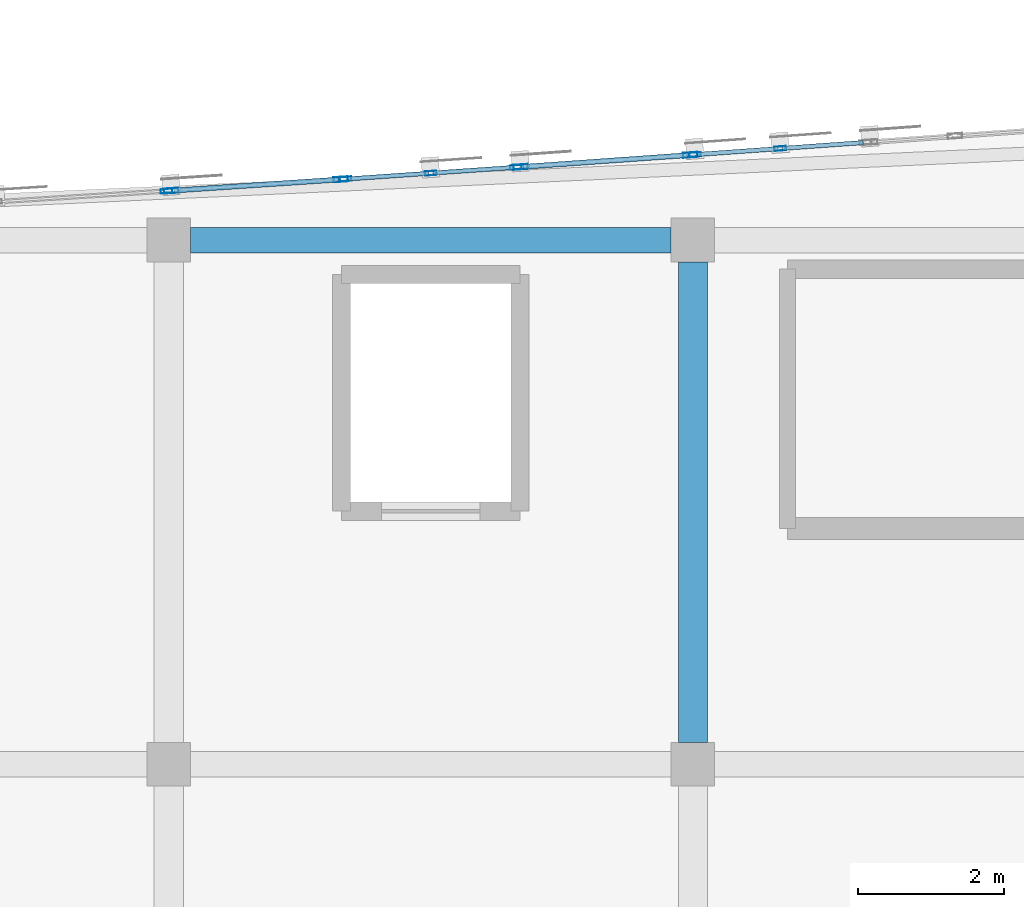
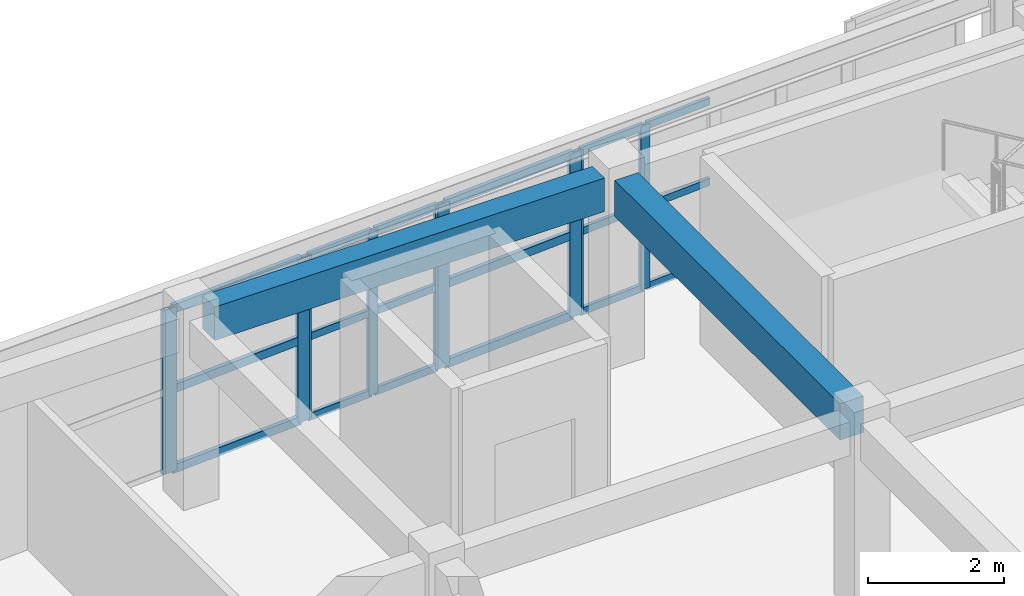
# One storey, part 8 of 51: 28 members, 2 beams, 5 elements without a shape of their own.
"""IFC4 building model written with IfcOpenShell, lengths in metres."""

from ifc_helpers import new_model, si_unit, direction, frame, origin, origin_2d, place, context, subcontext, project, spatial, rectangle, hollow_rectangle, extrude, material, layer, layer_set, material_profile, profile_set, type_object, element, aggregate, save


model = new_model("IFC4")

# Units and contexts
model_context = context("Model", 3, precision=1e-05, world=origin(), true_north=direction((0.0, 1.0)))
body_context = subcontext(model_context, "Body", "Model", "MODEL_VIEW")
ifc_project = project(units=[si_unit("LENGTHUNIT", "METRE"), si_unit("AREAUNIT", "SQUARE_METRE"), si_unit("VOLUMEUNIT", "CUBIC_METRE"), si_unit("PLANEANGLEUNIT", "RADIAN"), si_unit("MASSUNIT", "GRAM", prefix="KILO")], contexts=[model_context])

# Site, building, storey
site_placement = place(None, origin())
site = spatial("IfcSite", under=ifc_project, at=site_placement, CompositionType="ELEMENT")
building_placement = place(site_placement, origin())
building = spatial("IfcBuilding", under=site, at=building_placement, Name="Carrowvane Square Congress Hotel", CompositionType="ELEMENT")
storey_placement = place(building_placement, frame((0.0, 0.0, 30.0)))
storey = spatial("IfcBuildingStorey", under=building, at=storey_placement, Name="L07", CompositionType="ELEMENT", Elevation=30.0)

# Beams
ifc_material_1 = material(Name="Concrete C35/45", Category="concrete")
ifc_material_profile_1 = material_profile(ifc_material_1, rectangle(XDim=0.35009765625, YDim=0.60009765625, at=origin_2d()), Name="RC 350x600")
ifc_profile_set_1 = profile_set([ifc_material_profile_1], Name="Concrete C35/45")
beam_type_1 = type_object("IfcBeamType", Name="BM-RC-350x600", PredefinedType="BEAM", material=ifc_profile_set_1)
beam_1_placement = place(storey_placement, frame((47.89990234375, 113.39990234375, 3.06005859375), z_axis=(1.0, 0.0, 0.0), x_axis=(0.0, 1.0, 0.0)))
element("IfcBeam", 1, at=beam_1_placement, inside=storey, type_object=beam_type_1, Name="L08 girder R/6-7", PredefinedType="BEAM", context=body_context, shape_type="SweptSolid", body=[
    extrude(rectangle(XDim=0.35009765625, YDim=0.60009765625, at=origin_2d()), origin(), (0.0, 0.0, 1.0), 6.60009765625),
])
ifc_material_2 = material(Name="Concrete C35/45", Category="concrete")
ifc_material_profile_2 = material_profile(ifc_material_2, rectangle(XDim=0.39990234375, YDim=0.64990234375, at=origin_2d()), Name="RC 400x650")
ifc_profile_set_2 = profile_set([ifc_material_profile_2], Name="Concrete C35/45")
beam_type_2 = type_object("IfcBeamType", Name="BM-RC-400x650", PredefinedType="BEAM", material=ifc_profile_set_2)
beam_2_placement = place(storey_placement, frame((54.800048828125, 106.5, 3.034912109375), z_axis=(0.0, 1.0, 0.0), x_axis=(-1.0, 0.0, 0.0)))
element("IfcBeam", 2, at=beam_2_placement, inside=storey, type_object=beam_type_2, Name="L08 girder 7/Q-R", PredefinedType="BEAM", context=body_context, shape_type="SweptSolid", body=[
    extrude(rectangle(XDim=0.39990234375, YDim=0.64990234375, at=origin_2d()), origin(), (0.0, 0.0, 1.0), 6.60009765625),
])

# Curtain wall, member
ifc_material_3 = material(Name="Anodised aluminium", Category="aluminium")
ifc_layer_1 = layer(ifc_material_3, 0.18603515625)
ifc_layer_set_1 = layer_set([ifc_layer_1], Name="Anodised aluminium")
curtain_wall_type_1 = type_object("IfcCurtainWallType", Name="CW-SYS-3", PredefinedType="NOTDEFINED", material=ifc_layer_set_1)
curtain_wall_1_placement = place(storey_placement, origin())
curtain_wall_1 = element("IfcCurtainWall", 3, at=curtain_wall_1_placement, inside=storey, type_object=curtain_wall_type_1, Name="L07 unitised curtain wall 410", PredefinedType="NOTDEFINED")
ifc_material_4 = material(Name="Anodised aluminium", Category="aluminium")
ifc_material_profile_3 = material_profile(ifc_material_4, hollow_rectangle(XDim=0.06005859375, YDim=0.159912109375, WallThickness=0.00390625, at=origin_2d()), Name="CW-ML 60x160x4")
ifc_profile_set_3 = profile_set([ifc_material_profile_3], Name="Anodised aluminium")
member_type_1 = type_object("IfcMemberType", Name="CW-MUL-1", PredefinedType="MULLION", material=ifc_profile_set_3)
member_1_placement = place(storey_placement, frame((47.570068359375, 114.073486328125, 0.0), z_axis=(0.0, 0.0, 1.0), x_axis=(-0.063273487972, 0.997996225303, 0.0)))
member_1 = element("IfcMember", 4, at=member_1_placement, type_object=member_type_1, Name="CW-3 mullion 2", PredefinedType="MULLION", context=body_context, shape_type="SweptSolid", body=[
    extrude(hollow_rectangle(XDim=0.06005859375, YDim=0.159912109375, WallThickness=0.00390625, at=origin_2d()), origin(), (0.0, 0.0, 1.0), 2.935546875),
])
aggregate(curtain_wall_1, [member_1])

# Curtain wall, members
ifc_material_5 = material(Name="Anodised aluminium", Category="aluminium")
ifc_layer_2 = layer(ifc_material_5, 0.2099609375)
ifc_layer_set_2 = layer_set([ifc_layer_2], Name="Anodised aluminium")
curtain_wall_type_2 = type_object("IfcCurtainWallType", Name="CW-SYS-5", PredefinedType="NOTDEFINED", material=ifc_layer_set_2)
curtain_wall_2_placement = place(storey_placement, origin())
curtain_wall_2 = element("IfcCurtainWall", 5, at=curtain_wall_2_placement, inside=storey, type_object=curtain_wall_type_2, Name="L07 unitised curtain wall 412", PredefinedType="NOTDEFINED")
member_2_placement = place(storey_placement, frame((50.030029296875, 114.237548828125, 0.0), z_axis=(0.0, 0.0, 1.0), x_axis=(-0.068986120725, 0.997617619706, 0.0)))
member_2 = element("IfcMember", 6, at=member_2_placement, type_object=member_type_1, Name="CW-5 mullion 1", PredefinedType="MULLION", context=body_context, shape_type="SweptSolid", body=[
    extrude(hollow_rectangle(XDim=0.06005859375, YDim=0.159912109375, WallThickness=0.00390625, at=origin_2d()), origin(), (0.0, 0.0, 1.0), 2.935546875),
])
member_3_placement = place(storey_placement, frame((51.199951171875, 114.318359375, 0.0), z_axis=(0.0, 0.0, 1.0), x_axis=(-0.068986120725, 0.997617619706, 0.0)))
member_3 = element("IfcMember", 7, at=member_3_placement, type_object=member_type_1, Name="CW-5 mullion 2", PredefinedType="MULLION", context=body_context, shape_type="SweptSolid", body=[
    extrude(hollow_rectangle(XDim=0.06005859375, YDim=0.159912109375, WallThickness=0.00390625, at=origin_2d()), origin(), (0.0, 0.0, 1.0), 2.935546875),
])
member_4_placement = place(storey_placement, frame((52.3701171875, 114.3994140625, 0.0), z_axis=(0.0, 0.0, 1.0), x_axis=(-0.068986120725, 0.997617619706, 0.0)))
member_4 = element("IfcMember", 8, at=member_4_placement, type_object=member_type_1, Name="CW-5 mullion 3", PredefinedType="MULLION", context=body_context, shape_type="SweptSolid", body=[
    extrude(hollow_rectangle(XDim=0.06005859375, YDim=0.159912109375, WallThickness=0.00390625, at=origin_2d()), origin(), (0.0, 0.0, 1.0), 2.935546875),
])

ifc_material_6 = material(Name="Anodised aluminium", Category="aluminium")
ifc_layer_3 = layer(ifc_material_6, 0.23388671875)
ifc_layer_set_3 = layer_set([ifc_layer_3], Name="Anodised aluminium")
curtain_wall_type_3 = type_object("IfcCurtainWallType", Name="CW-SYS-7", PredefinedType="NOTDEFINED", material=ifc_layer_set_3)
curtain_wall_3_placement = place(storey_placement, origin())
curtain_wall_3 = element("IfcCurtainWall", 9, at=curtain_wall_3_placement, inside=storey, type_object=curtain_wall_type_3, Name="L07 unitised curtain wall 414", PredefinedType="NOTDEFINED")
member_5_placement = place(storey_placement, frame((54.829833984375, 114.573486328125, 0.0), z_axis=(0.0, 0.0, 1.0), x_axis=(-0.071418356042, 0.997446448898, 0.0)))
member_5 = element("IfcMember", 10, at=member_5_placement, type_object=member_type_1, Name="CW-7 mullion 1", PredefinedType="MULLION", context=body_context, shape_type="SweptSolid", body=[
    extrude(hollow_rectangle(XDim=0.06005859375, YDim=0.159912109375, WallThickness=0.00390625, at=origin_2d()), origin(), (0.0, 0.0, 1.0), 2.935546875),
])
member_6_placement = place(storey_placement, frame((56.0, 114.6572265625, 0.0), z_axis=(0.0, 0.0, 1.0), x_axis=(-0.071418356042, 0.997446448898, 0.0)))
member_6 = element("IfcMember", 11, at=member_6_placement, type_object=member_type_1, Name="CW-7 mullion 2", PredefinedType="MULLION", context=body_context, shape_type="SweptSolid", body=[
    extrude(hollow_rectangle(XDim=0.06005859375, YDim=0.159912109375, WallThickness=0.00390625, at=origin_2d()), origin(), (0.0, 0.0, 1.0), 2.935546875),
])

ifc_material_7 = material(Name="Anodised aluminium", Category="aluminium")
ifc_layer_4 = layer(ifc_material_7, 0.197998046875)
ifc_layer_set_4 = layer_set([ifc_layer_4], Name="Anodised aluminium")
curtain_wall_type_4 = type_object("IfcCurtainWallType", Name="CW-SYS-4", PredefinedType="NOTDEFINED", material=ifc_layer_set_4)
curtain_wall_4_placement = place(storey_placement, origin())
curtain_wall_4 = element("IfcCurtainWall", 12, at=curtain_wall_4_placement, inside=storey, type_object=curtain_wall_type_4, Name="L07 unitised curtain wall 411", PredefinedType="NOTDEFINED")
ifc_material_8 = material(Name="Anodised aluminium", Category="aluminium")
ifc_material_profile_4 = material_profile(ifc_material_8, hollow_rectangle(XDim=0.070068359375, YDim=0.199951171875, WallThickness=0.0048828125, at=origin_2d()), Name="CW-ML 70x200x5")
ifc_profile_set_4 = profile_set([ifc_material_profile_4], Name="Anodised aluminium")
member_type_2 = type_object("IfcMemberType", Name="CW-MUL-2", PredefinedType="MULLION", material=ifc_profile_set_4)
member_7_placement = place(storey_placement, frame((47.635009765625, 114.07763671875, 0.0), z_axis=(0.0, 0.0, 1.0), x_axis=(-0.066578061501, 0.99778121937, 0.0)))
member_7 = element("IfcMember", 13, at=member_7_placement, type_object=member_type_2, Name="CW-4 mullion 1", PredefinedType="MULLION", context=body_context, shape_type="SweptSolid", body=[
    extrude(hollow_rectangle(XDim=0.070068359375, YDim=0.199951171875, WallThickness=0.0048828125, at=origin_2d()), origin(), (0.0, 0.0, 1.0), 2.935546875),
])
member_8_placement = place(storey_placement, frame((49.965087890625, 114.233154296875, 0.0), z_axis=(0.0, 0.0, 1.0), x_axis=(-0.066578061501, 0.99778121937, 0.0)))
member_8 = element("IfcMember", 14, at=member_8_placement, type_object=member_type_2, Name="CW-4 mullion 2", PredefinedType="MULLION", context=body_context, shape_type="SweptSolid", body=[
    extrude(hollow_rectangle(XDim=0.070068359375, YDim=0.199951171875, WallThickness=0.0048828125, at=origin_2d()), origin(), (0.0, 0.0, 1.0), 2.935546875),
])

ifc_material_9 = material(Name="Anodised aluminium", Category="aluminium")
ifc_layer_5 = layer(ifc_material_9, 0.221923828125)
ifc_layer_set_5 = layer_set([ifc_layer_5], Name="Anodised aluminium")
curtain_wall_type_5 = type_object("IfcCurtainWallType", Name="CW-SYS-6", PredefinedType="NOTDEFINED", material=ifc_layer_set_5)
curtain_wall_5_placement = place(storey_placement, origin())
curtain_wall_5 = element("IfcCurtainWall", 15, at=curtain_wall_5_placement, inside=storey, type_object=curtain_wall_type_5, Name="L07 unitised curtain wall 413", PredefinedType="NOTDEFINED")
member_9_placement = place(storey_placement, frame((52.434814453125, 114.40380859375, 0.0), z_axis=(0.0, 0.0, 1.0), x_axis=(-0.070585996942, 0.997505697746, 0.0)))
member_9 = element("IfcMember", 16, at=member_9_placement, type_object=member_type_2, Name="CW-6 mullion 1", PredefinedType="MULLION", context=body_context, shape_type="SweptSolid", body=[
    extrude(hollow_rectangle(XDim=0.070068359375, YDim=0.199951171875, WallThickness=0.0048828125, at=origin_2d()), origin(), (0.0, 0.0, 1.0), 2.935546875),
])
member_10_placement = place(storey_placement, frame((54.76513671875, 114.56884765625, 0.0), z_axis=(0.0, 0.0, 1.0), x_axis=(-0.070585996942, 0.997505697746, 0.0)))
member_10 = element("IfcMember", 17, at=member_10_placement, type_object=member_type_2, Name="CW-6 mullion 2", PredefinedType="MULLION", context=body_context, shape_type="SweptSolid", body=[
    extrude(hollow_rectangle(XDim=0.070068359375, YDim=0.199951171875, WallThickness=0.0048828125, at=origin_2d()), origin(), (0.0, 0.0, 1.0), 2.935546875),
])

# Member
ifc_material_10 = material(Name="Anodised aluminium", Category="aluminium")
ifc_material_profile_5 = material_profile(ifc_material_10, hollow_rectangle(XDim=0.06005859375, YDim=0.1298828125, WallThickness=0.00390625, at=origin_2d()), Name="CW-TR 60x130x4")
ifc_profile_set_5 = profile_set([ifc_material_profile_5], Name="Anodised aluminium")
member_type_3 = type_object("IfcMemberType", Name="CW-TRN-1", PredefinedType="USERDEFINED", material=ifc_profile_set_5)
member_11_placement = place(storey_placement, frame((50.059814453125, 114.239501953125, 0.030029296875), z_axis=(0.997610037403, 0.06909568201, 0.0), x_axis=(-0.06909568201, 0.997610037403, 0.0)))
member_11 = element("IfcMember", 18, at=member_11_placement, type_object=member_type_3, Name="CW-5 transom 1.1", ObjectType="TRANSOM", PredefinedType="USERDEFINED", context=body_context, shape_type="SweptSolid", body=[
    extrude(hollow_rectangle(XDim=0.06005859375, YDim=0.1298828125, WallThickness=0.00390625, at=origin_2d()), origin(), (0.0, 0.0, 1.0), 1.113037109375),
])

member_12_placement = place(storey_placement, frame((50.059814453125, 114.239501953125, 1.4677734375), z_axis=(0.997610037403, 0.06909568201, 0.0), x_axis=(-0.06909568201, 0.997610037403, 0.0)))
member_12 = element("IfcMember", 19, at=member_12_placement, type_object=member_type_3, Name="CW-5 transom 1.2", ObjectType="TRANSOM", PredefinedType="USERDEFINED", context=body_context, shape_type="SweptSolid", body=[
    extrude(hollow_rectangle(XDim=0.06005859375, YDim=0.1298828125, WallThickness=0.00390625, at=origin_2d()), origin(), (0.0, 0.0, 1.0), 1.113037109375),
])

member_13_placement = place(storey_placement, frame((50.059814453125, 114.239501953125, 2.905517578125), z_axis=(0.997610037403, 0.06909568201, 0.0), x_axis=(-0.06909568201, 0.997610037403, 0.0)))
member_13 = element("IfcMember", 20, at=member_13_placement, type_object=member_type_3, Name="CW-5 transom 1.3", ObjectType="TRANSOM", PredefinedType="USERDEFINED", context=body_context, shape_type="SweptSolid", body=[
    extrude(hollow_rectangle(XDim=0.06005859375, YDim=0.1298828125, WallThickness=0.00390625, at=origin_2d()), origin(), (0.0, 0.0, 1.0), 1.113037109375),
])

member_14_placement = place(storey_placement, frame((51.22998046875, 114.320556640625, 0.030029296875), z_axis=(0.997624092775, 0.068892448896, 0.0), x_axis=(-0.068892448896, 0.997624092775, 0.0)))
member_14 = element("IfcMember", 21, at=member_14_placement, type_object=member_type_3, Name="CW-5 transom 2.1", ObjectType="TRANSOM", PredefinedType="USERDEFINED", context=body_context, shape_type="SweptSolid", body=[
    extrude(hollow_rectangle(XDim=0.06005859375, YDim=0.1298828125, WallThickness=0.00390625, at=origin_2d()), origin(), (0.0, 0.0, 1.0), 1.11279296875),
])

member_15_placement = place(storey_placement, frame((51.22998046875, 114.320556640625, 1.4677734375), z_axis=(0.997624092775, 0.068892448896, 0.0), x_axis=(-0.068892448896, 0.997624092775, 0.0)))
member_15 = element("IfcMember", 22, at=member_15_placement, type_object=member_type_3, Name="CW-5 transom 2.2", ObjectType="TRANSOM", PredefinedType="USERDEFINED", context=body_context, shape_type="SweptSolid", body=[
    extrude(hollow_rectangle(XDim=0.06005859375, YDim=0.1298828125, WallThickness=0.00390625, at=origin_2d()), origin(), (0.0, 0.0, 1.0), 1.11279296875),
])

member_16_placement = place(storey_placement, frame((51.22998046875, 114.320556640625, 2.905517578125), z_axis=(0.997624092775, 0.068892448896, 0.0), x_axis=(-0.068892448896, 0.997624092775, 0.0)))
member_16 = element("IfcMember", 23, at=member_16_placement, type_object=member_type_3, Name="CW-5 transom 2.3", ObjectType="TRANSOM", PredefinedType="USERDEFINED", context=body_context, shape_type="SweptSolid", body=[
    extrude(hollow_rectangle(XDim=0.06005859375, YDim=0.1298828125, WallThickness=0.00390625, at=origin_2d()), origin(), (0.0, 0.0, 1.0), 1.11279296875),
])

aggregate(curtain_wall_2, [member_2, member_3, member_4, member_11, member_12, member_13, member_14, member_15, member_16])

member_17_placement = place(storey_placement, frame((54.85986328125, 114.575439453125, 0.030029296875), z_axis=(0.997439734895, 0.071512063685, 0.0), x_axis=(-0.071512063685, 0.997439734895, 0.0)))
member_17 = element("IfcMember", 24, at=member_17_placement, type_object=member_type_3, Name="CW-7 transom 1.1", ObjectType="TRANSOM", PredefinedType="USERDEFINED", context=body_context, shape_type="SweptSolid", body=[
    extrude(hollow_rectangle(XDim=0.06005859375, YDim=0.1298828125, WallThickness=0.00390625, at=origin_2d()), origin(), (0.0, 0.0, 1.0), 1.113037109375),
])

member_18_placement = place(storey_placement, frame((54.85986328125, 114.575439453125, 1.4677734375), z_axis=(0.997439734895, 0.071512063685, 0.0), x_axis=(-0.071512063685, 0.997439734895, 0.0)))
member_18 = element("IfcMember", 25, at=member_18_placement, type_object=member_type_3, Name="CW-7 transom 1.2", ObjectType="TRANSOM", PredefinedType="USERDEFINED", context=body_context, shape_type="SweptSolid", body=[
    extrude(hollow_rectangle(XDim=0.06005859375, YDim=0.1298828125, WallThickness=0.00390625, at=origin_2d()), origin(), (0.0, 0.0, 1.0), 1.113037109375),
])

member_19_placement = place(storey_placement, frame((54.85986328125, 114.575439453125, 2.905517578125), z_axis=(0.997439734895, 0.071512063685, 0.0), x_axis=(-0.071512063685, 0.997439734895, 0.0)))
member_19 = element("IfcMember", 26, at=member_19_placement, type_object=member_type_3, Name="CW-7 transom 1.3", ObjectType="TRANSOM", PredefinedType="USERDEFINED", context=body_context, shape_type="SweptSolid", body=[
    extrude(hollow_rectangle(XDim=0.06005859375, YDim=0.1298828125, WallThickness=0.00390625, at=origin_2d()), origin(), (0.0, 0.0, 1.0), 1.113037109375),
])

member_20_placement = place(storey_placement, frame((56.02978515625, 114.659423828125, 0.030029296875), z_axis=(0.997456472769, 0.071278221999, 0.0), x_axis=(-0.071278221999, 0.997456472769, 0.0)))
member_20 = element("IfcMember", 27, at=member_20_placement, type_object=member_type_3, Name="CW-7 transom 2.1", ObjectType="TRANSOM", PredefinedType="USERDEFINED", context=body_context, shape_type="SweptSolid", body=[
    extrude(hollow_rectangle(XDim=0.06005859375, YDim=0.1298828125, WallThickness=0.00390625, at=origin_2d()), origin(), (0.0, 0.0, 1.0), 1.11328125),
])

member_21_placement = place(storey_placement, frame((56.02978515625, 114.659423828125, 1.4677734375), z_axis=(0.997456472769, 0.071278221999, 0.0), x_axis=(-0.071278221999, 0.997456472769, 0.0)))
member_21 = element("IfcMember", 28, at=member_21_placement, type_object=member_type_3, Name="CW-7 transom 2.2", ObjectType="TRANSOM", PredefinedType="USERDEFINED", context=body_context, shape_type="SweptSolid", body=[
    extrude(hollow_rectangle(XDim=0.06005859375, YDim=0.1298828125, WallThickness=0.00390625, at=origin_2d()), origin(), (0.0, 0.0, 1.0), 1.11328125),
])

member_22_placement = place(storey_placement, frame((56.02978515625, 114.659423828125, 2.905517578125), z_axis=(0.997456472769, 0.071278221999, 0.0), x_axis=(-0.071278221999, 0.997456472769, 0.0)))
member_22 = element("IfcMember", 29, at=member_22_placement, type_object=member_type_3, Name="CW-7 transom 2.3", ObjectType="TRANSOM", PredefinedType="USERDEFINED", context=body_context, shape_type="SweptSolid", body=[
    extrude(hollow_rectangle(XDim=0.06005859375, YDim=0.1298828125, WallThickness=0.00390625, at=origin_2d()), origin(), (0.0, 0.0, 1.0), 1.11328125),
])

aggregate(curtain_wall_3, [member_5, member_6, member_17, member_18, member_19, member_20, member_21, member_22])

ifc_material_11 = material(Name="Anodised aluminium", Category="aluminium")
ifc_material_profile_6 = material_profile(ifc_material_11, hollow_rectangle(XDim=0.070068359375, YDim=0.14990234375, WallThickness=0.0048828125, at=origin_2d()), Name="CW-TR 70x150x5")
ifc_profile_set_6 = profile_set([ifc_material_profile_6], Name="Anodised aluminium")
member_type_4 = type_object("IfcMemberType", Name="CW-TRN-2", PredefinedType="USERDEFINED", material=ifc_profile_set_6)
member_23_placement = place(storey_placement, frame((47.669921875, 114.080078125, 0.034912109375), z_axis=(0.997786588276, 0.066497550763, 0.0), x_axis=(-0.066497550763, 0.997786588276, 0.0)))
member_23 = element("IfcMember", 30, at=member_23_placement, type_object=member_type_4, Name="CW-4 transom 1.1", ObjectType="TRANSOM", PredefinedType="USERDEFINED", context=body_context, shape_type="SweptSolid", body=[
    extrude(hollow_rectangle(XDim=0.070068359375, YDim=0.14990234375, WallThickness=0.0048828125, at=origin_2d()), origin(), (0.0, 0.0, 1.0), 2.265380859375),
])

member_24_placement = place(storey_placement, frame((47.669921875, 114.080078125, 1.4677734375), z_axis=(0.997786588276, 0.066497550763, 0.0), x_axis=(-0.066497550763, 0.997786588276, 0.0)))
member_24 = element("IfcMember", 31, at=member_24_placement, type_object=member_type_4, Name="CW-4 transom 1.2", ObjectType="TRANSOM", PredefinedType="USERDEFINED", context=body_context, shape_type="SweptSolid", body=[
    extrude(hollow_rectangle(XDim=0.070068359375, YDim=0.14990234375, WallThickness=0.0048828125, at=origin_2d()), origin(), (0.0, 0.0, 1.0), 2.265380859375),
])

member_25_placement = place(storey_placement, frame((47.669921875, 114.080078125, 2.900634765625), z_axis=(0.997786588276, 0.066497550763, 0.0), x_axis=(-0.066497550763, 0.997786588276, 0.0)))
member_25 = element("IfcMember", 32, at=member_25_placement, type_object=member_type_4, Name="CW-4 transom 1.3", ObjectType="TRANSOM", PredefinedType="USERDEFINED", context=body_context, shape_type="SweptSolid", body=[
    extrude(hollow_rectangle(XDim=0.070068359375, YDim=0.14990234375, WallThickness=0.0048828125, at=origin_2d()), origin(), (0.0, 0.0, 1.0), 2.265380859375),
])

aggregate(curtain_wall_4, [member_7, member_8, member_23, member_24, member_25])

member_26_placement = place(storey_placement, frame((52.4697265625, 114.406494140625, 0.034912109375), z_axis=(0.997507138694, 0.070565630829, 0.0), x_axis=(-0.070565630829, 0.997507138694, 0.0)))
member_26 = element("IfcMember", 33, at=member_26_placement, type_object=member_type_4, Name="CW-6 transom 1.1", ObjectType="TRANSOM", PredefinedType="USERDEFINED", context=body_context, shape_type="SweptSolid", body=[
    extrude(hollow_rectangle(XDim=0.070068359375, YDim=0.14990234375, WallThickness=0.0048828125, at=origin_2d()), origin(), (0.0, 0.0, 1.0), 2.26611328125),
])

member_27_placement = place(storey_placement, frame((52.4697265625, 114.406494140625, 1.4677734375), z_axis=(0.997507138694, 0.070565630829, 0.0), x_axis=(-0.070565630829, 0.997507138694, 0.0)))
member_27 = element("IfcMember", 34, at=member_27_placement, type_object=member_type_4, Name="CW-6 transom 1.2", ObjectType="TRANSOM", PredefinedType="USERDEFINED", context=body_context, shape_type="SweptSolid", body=[
    extrude(hollow_rectangle(XDim=0.070068359375, YDim=0.14990234375, WallThickness=0.0048828125, at=origin_2d()), origin(), (0.0, 0.0, 1.0), 2.26611328125),
])

member_28_placement = place(storey_placement, frame((52.4697265625, 114.406494140625, 2.900634765625), z_axis=(0.997507138694, 0.070565630829, 0.0), x_axis=(-0.070565630829, 0.997507138694, 0.0)))
member_28 = element("IfcMember", 35, at=member_28_placement, type_object=member_type_4, Name="CW-6 transom 1.3", ObjectType="TRANSOM", PredefinedType="USERDEFINED", context=body_context, shape_type="SweptSolid", body=[
    extrude(hollow_rectangle(XDim=0.070068359375, YDim=0.14990234375, WallThickness=0.0048828125, at=origin_2d()), origin(), (0.0, 0.0, 1.0), 2.26611328125),
])

aggregate(curtain_wall_5, [member_9, member_10, member_26, member_27, member_28])

save(model, "model.ifc")
